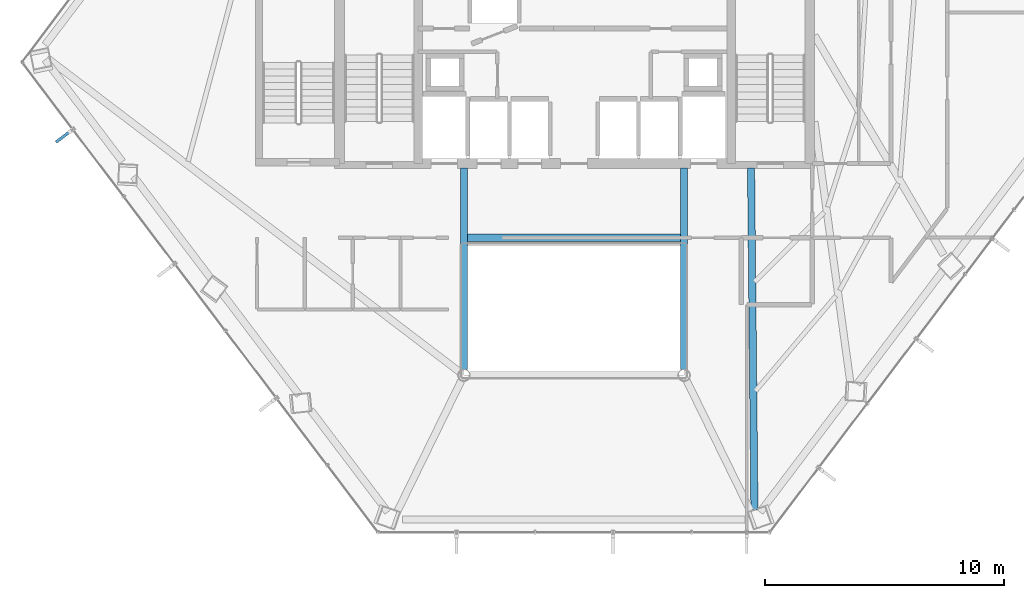
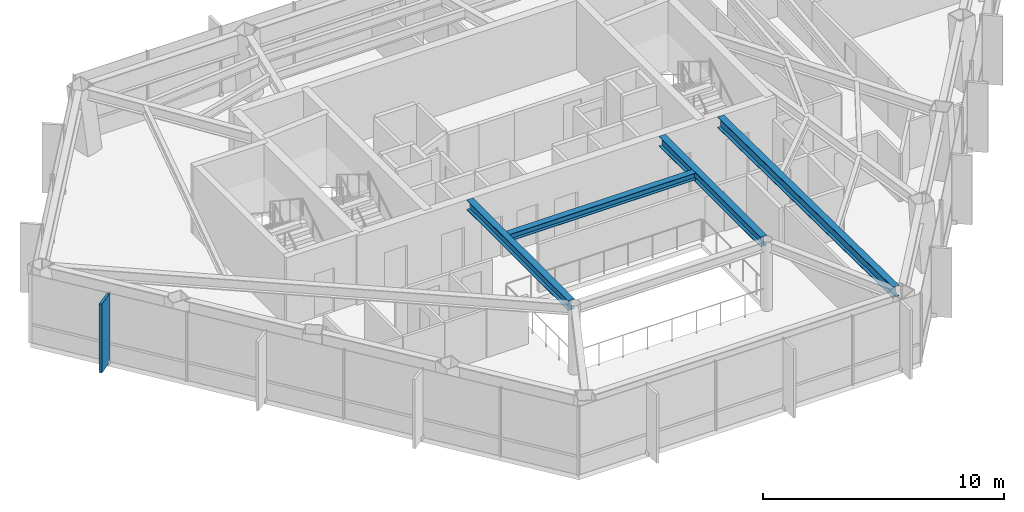
# One storey, part 9 of 28: 4 beams, 1 member, 1 element without a shape of its own.
"""IFC4 building model written with IfcOpenShell, lengths in metres."""

from ifc_helpers import new_model, si_unit, direction, frame, origin, origin_2d, place, context, subcontext, project, spatial, rectangle, i_section, extrude, material, layer, layer_set, material_profile, profile_set, type_object, element, aggregate, save


model = new_model("IFC4")

# Units and contexts
model_context = context("Model", 3, precision=1e-05, world=origin(), true_north=direction((0.0, 1.0)))
body_context = subcontext(model_context, "Body", "Model", "MODEL_VIEW")
ifc_project = project(units=[si_unit("LENGTHUNIT", "METRE"), si_unit("AREAUNIT", "SQUARE_METRE"), si_unit("VOLUMEUNIT", "CUBIC_METRE"), si_unit("PLANEANGLEUNIT", "RADIAN"), si_unit("MASSUNIT", "GRAM", prefix="KILO")], contexts=[model_context])

# Site, building, storey
site_placement = place(None, origin())
site = spatial("IfcSite", under=ifc_project, at=site_placement, CompositionType="ELEMENT")
building_placement = place(site_placement, origin())
building = spatial("IfcBuilding", under=site, at=building_placement, Name="Zarrinselat Tower", CompositionType="ELEMENT")
storey_placement = place(building_placement, frame((0.0, 0.0, 153.340087890625)))
storey = spatial("IfcBuildingStorey", under=building, at=storey_placement, Name="L37", CompositionType="ELEMENT", Elevation=153.340087890625)

# Beams
ifc_material_1 = material(Name="Steel S355J2", Category="steel")
ifc_material_profile_1 = material_profile(ifc_material_1, i_section(OverallWidth=0.300048828125, OverallDepth=0.35009765625, WebThickness=0.010009765625, FlangeThickness=0.017578125, at=origin_2d()), Name="HEA 360")
ifc_profile_set_1 = profile_set([ifc_material_profile_1], Name="Steel S355J2")
beam_type_1 = type_object("IfcBeamType", Name="BM-HEA360", PredefinedType="LINTEL", material=ifc_profile_set_1)
beam_1_placement = place(storey_placement, frame((33.93994140625, 30.14990234375, 3.31494140625), z_axis=(1.0, 0.0, 0.0), x_axis=(0.0, 1.0, 0.0)))
element("IfcBeam", 1, at=beam_1_placement, inside=storey, type_object=beam_type_1, Name="L37 Lift Lobby Ceiling Beam", PredefinedType="LINTEL", context=body_context, shape_type="SweptSolid", body=[
    extrude(i_section(OverallWidth=0.300048828125, OverallDepth=0.35009765625, WebThickness=0.010009765625, FlangeThickness=0.017578125, at=origin_2d()), origin(), (0.0, 0.0, 1.0), 8.920166015625),
])
ifc_material_2 = material(Name="Steel S355J2", Category="steel")
ifc_material_profile_2 = material_profile(ifc_material_2, i_section(OverallWidth=0.300048828125, OverallDepth=0.5, WebThickness=0.014404296875, FlangeThickness=0.028076171875, at=origin_2d()), Name="HEB 500")
ifc_profile_set_2 = profile_set([ifc_material_profile_2], Name="Steel S355J2")
beam_type_2 = type_object("IfcBeamType", Name="BM-HEB500", PredefinedType="BEAM", material=ifc_profile_set_2)
for number, where, z_axis, x_axis, name in (
    (2, (33.800048828125, 24.639892578125, 3.239990234375), (0.0, 1.0, 0.0), (-1.0, 0.0, 0.0), "L37 Atrium Edge Beam W"),
    (3, (43.0, 24.639892578125, 3.239990234375), (0.0, 1.0, 0.0), (-1.0, 0.0, 0.0), "L37 Atrium Edge Beam E"),
):
    element("IfcBeam", number, at=place(storey_placement, frame(where, z_axis=z_axis, x_axis=x_axis)), inside=storey, type_object=beam_type_2, Name=name, PredefinedType="BEAM", context=body_context, shape_type="SweptSolid", body=[
        extrude(i_section(OverallWidth=0.300048828125, OverallDepth=0.5, WebThickness=0.014404296875, FlangeThickness=0.028076171875, at=origin_2d()), origin(), (0.0, 0.0, 1.0), 8.420166015625),
    ])
ifc_material_3 = material(Name="Steel S355J2", Category="steel")
ifc_material_profile_3 = material_profile(ifc_material_3, i_section(OverallWidth=0.300048828125, OverallDepth=0.550048828125, WebThickness=0.014892578125, FlangeThickness=0.029052734375, at=origin_2d()), Name="HEB 550")
ifc_profile_set_3 = profile_set([ifc_material_profile_3], Name="Steel S355J2")
beam_type_3 = type_object("IfcBeamType", Name="BM-HEB550", PredefinedType="BEAM", material=ifc_profile_set_3)
beam_2_placement = place(storey_placement, frame((45.800048828125, 33.06005859375, 3.21484375), z_axis=(0.00991234841, -0.999950871468, 0.0), x_axis=(0.999950871468, 0.00991234841, 0.0)))
element("IfcBeam", 4, at=beam_2_placement, inside=storey, type_object=beam_type_3, Name="L37 Radial Primary Girder RG11", PredefinedType="BEAM", context=body_context, shape_type="SweptSolid", body=[
    extrude(i_section(OverallWidth=0.300048828125, OverallDepth=0.550048828125, WebThickness=0.014892578125, FlangeThickness=0.029052734375, at=origin_2d()), origin(), (0.0, 0.0, 1.0), 14.285400390625),
])

# Curtain wall, member
ifc_material_4 = material(Name="Extruded Aluminium Alloy EN AW-6063 T6", Category="aluminium")
ifc_layer = layer(ifc_material_4, 0.175048828125)
ifc_layer_set = layer_set([ifc_layer], Name="Extruded Aluminium Alloy EN AW-6063 T6")
curtain_wall_type = type_object("IfcCurtainWallType", Name="CWS-HTL", PredefinedType="NOTDEFINED", material=ifc_layer_set)
curtain_wall_placement = place(storey_placement, origin())
curtain_wall = element("IfcCurtainWall", 5, at=curtain_wall_placement, inside=storey, type_object=curtain_wall_type, Name="L37 Unitised Curtain Wall CW-L37-E03", PredefinedType="NOTDEFINED")
ifc_material_5 = material(Name="Honed Cream Travertine Stone", Category="masonry")
ifc_material_profile_4 = material_profile(ifc_material_5, rectangle(XDim=0.1201171875, YDim=0.85009765625, at=origin_2d()), Name="FIN 850x120")
ifc_profile_set_4 = profile_set([ifc_material_profile_4], Name="Honed Cream Travertine Stone")
member_type = type_object("IfcMemberType", Name="MEM-STONE-FIN", PredefinedType="USERDEFINED", material=ifc_profile_set_4)
member_placement = place(storey_placement, frame((17.091796875, 34.398193359375, 0.0), z_axis=(0.0, 0.0, 1.0), x_axis=(-0.603856985167, 0.7970926806, 0.0)))
member = element("IfcMember", 6, at=member_placement, type_object=member_type, Name="L37 Stone Shading Fin CW-L37-E03-01", ObjectType="FIN", PredefinedType="USERDEFINED", context=body_context, shape_type="SweptSolid", body=[
    extrude(rectangle(XDim=0.1201171875, YDim=0.85009765625, at=origin_2d()), origin(), (0.0, 0.0, 1.0), 3.489990234375),
])
aggregate(curtain_wall, [member])

save(model, "model.ifc")
